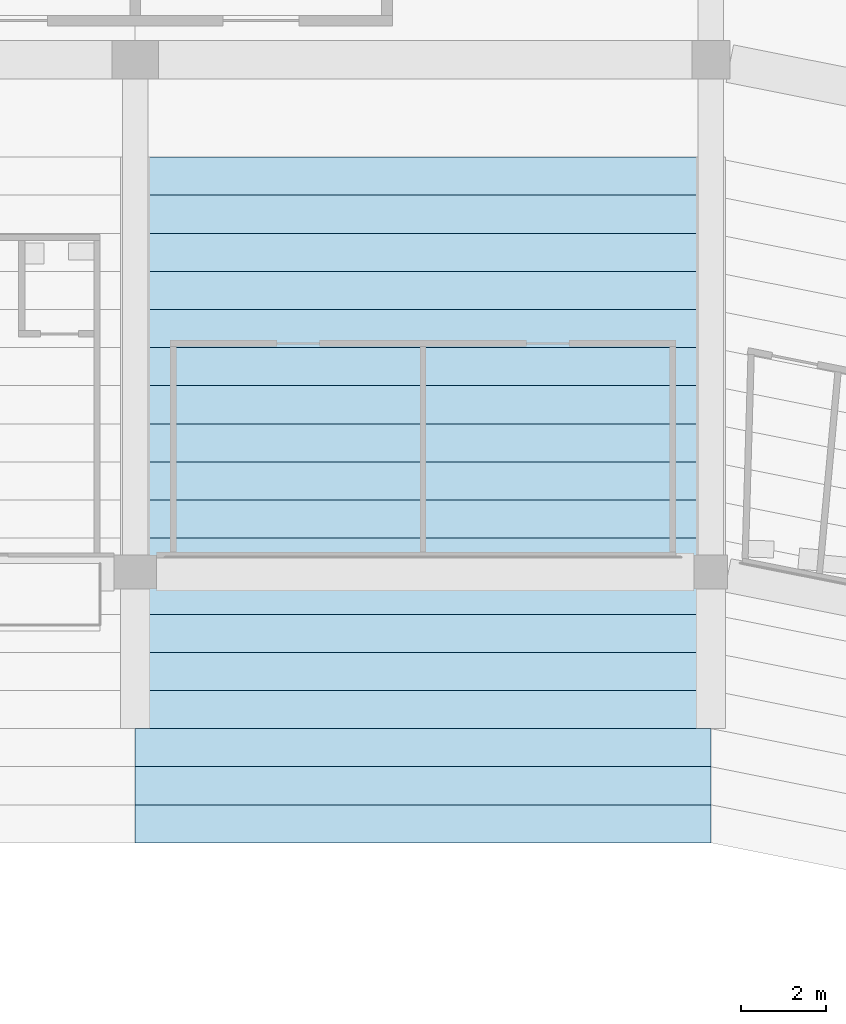
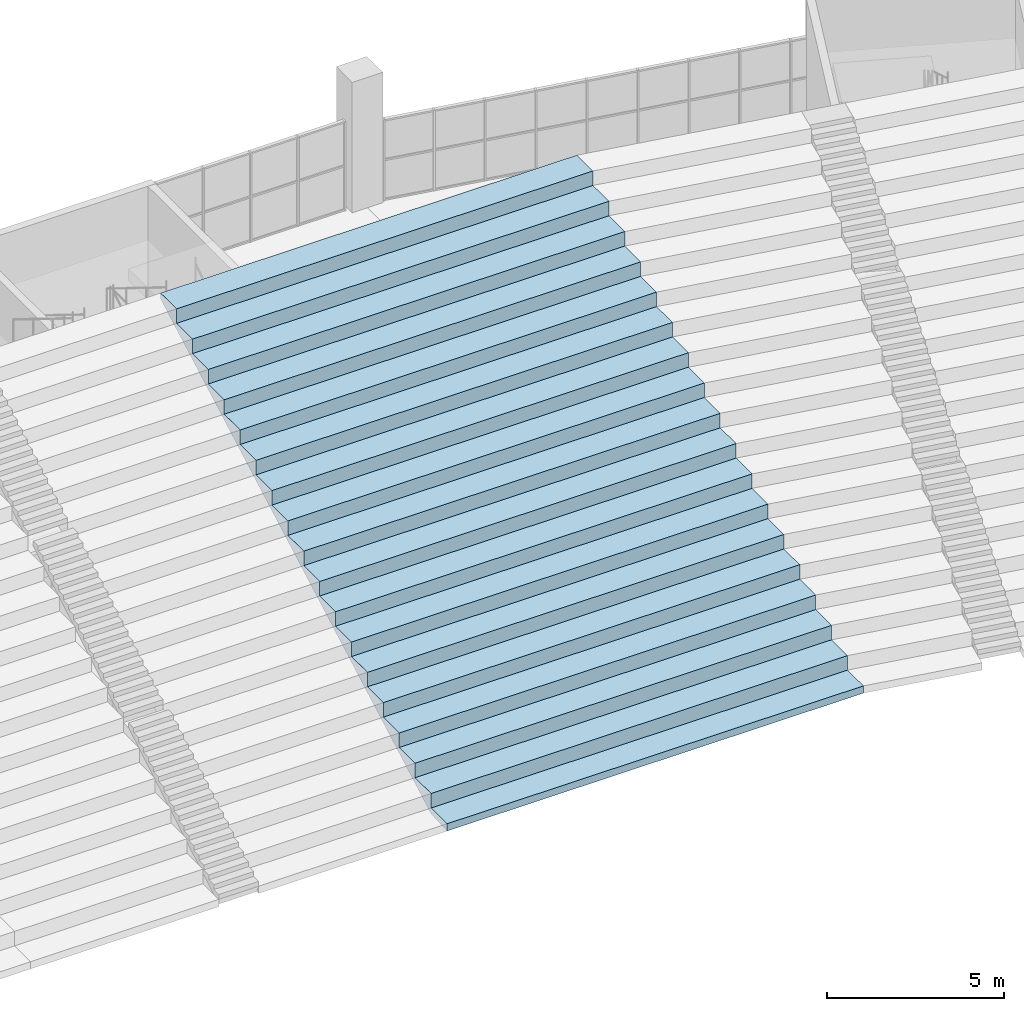
# One storey, part 127 of 249: 1 slab.
"""IFC4 building model written with IfcOpenShell, lengths in metres."""

from ifc_helpers import new_model, si_unit, direction, frame, origin, place, context, subcontext, project, spatial, faceted_brep, material, layer, layer_set, type_object, element, save


model = new_model("IFC4")

# Units and contexts
model_context = context("Model", 3, precision=1e-05, world=origin(), true_north=direction((0.0, 1.0)))
body_context = subcontext(model_context, "Body", "Model", "MODEL_VIEW")
ifc_project = project(units=[si_unit("LENGTHUNIT", "METRE"), si_unit("AREAUNIT", "SQUARE_METRE"), si_unit("VOLUMEUNIT", "CUBIC_METRE"), si_unit("PLANEANGLEUNIT", "RADIAN"), si_unit("MASSUNIT", "GRAM", prefix="KILO")], contexts=[model_context])

# Site, building, storey
site_placement = place(None, origin())
site = spatial("IfcSite", under=ifc_project, at=site_placement, CompositionType="ELEMENT")
building_placement = place(site_placement, origin())
building = spatial("IfcBuilding", under=site, at=building_placement, Name="Ogive Plaza Stadium", CompositionType="ELEMENT")
storey_placement = place(building_placement, frame((0.0, 0.0, 13.5)))
storey = spatial("IfcBuildingStorey", under=building, at=storey_placement, Name="L03", CompositionType="ELEMENT", Elevation=13.5)

# Slab
ifc_material = material(Name="Concrete C45/55 precast", Category="concrete")
ifc_layer = layer(ifc_material, 0.699951171875)
ifc_layer_set = layer_set([ifc_layer], Name="Concrete C45/55 precast")
slab_type = type_object("IfcSlabType", Name="Seating tier UT 700", PredefinedType="USERDEFINED", material=ifc_layer_set)
slab_placement = place(storey_placement, origin())
element("IfcSlab", 1, at=slab_placement, inside=storey, type_object=slab_type, Name="Stand UT B36", ObjectType="SEATING TIER", PredefinedType="USERDEFINED", context=body_context, shape_type="Brep", body=[
    faceted_brep([(34.0, 74.0, 0.5), (34.0, 74.89990234375, 0.5), (20.39990234375, 74.89990234375, 0.5), (20.39990234375, 74.0, 0.5), (34.0, 74.89990234375, 0.300048828125), (20.39990234375, 74.0, 0.25), (20.39990234375, 74.89990234375, 0.300048828125), (34.0, 74.0, 0.25), (34.0, 74.89990234375, 1.0), (20.39990234375, 74.89990234375, 1.0), (20.39990234375, 75.800048828125, 1.0), (20.39990234375, 75.800048828125, 0.800048828125), (20.39990234375, 75.800048828125, 1.5), (20.39990234375, 76.699951171875, 1.5), (20.39990234375, 76.699951171875, 1.300048828125), (20.39990234375, 76.699951171875, 2.0), (20.39990234375, 77.60009765625, 2.0), (20.39990234375, 77.60009765625, 1.800048828125), (20.39990234375, 77.60009765625, 2.5), (20.39990234375, 78.5, 2.5), (20.39990234375, 78.5, 2.300048828125), (20.39990234375, 78.5, 3.0), (20.39990234375, 79.39990234375, 3.0), (20.39990234375, 79.39990234375, 2.800048828125), (20.39990234375, 79.39990234375, 3.5), (20.39990234375, 80.300048828125, 3.5), (20.39990234375, 80.300048828125, 3.300048828125), (20.39990234375, 80.300048828125, 4.0), (20.39990234375, 81.199951171875, 4.0), (20.39990234375, 81.199951171875, 3.800048828125), (20.39990234375, 81.199951171875, 4.5), (20.39990234375, 82.10009765625, 4.5), (20.39990234375, 82.10009765625, 4.300048828125), (20.39990234375, 82.10009765625, 5.0), (20.39990234375, 83.0, 5.0), (20.39990234375, 83.0, 4.800048828125), (20.39990234375, 83.0, 5.5), (20.39990234375, 83.89990234375, 5.5), (20.39990234375, 83.89990234375, 5.300048828125), (20.39990234375, 83.89990234375, 6.0), (20.39990234375, 84.800048828125, 6.0), (20.39990234375, 84.800048828125, 5.800048828125), (20.39990234375, 84.800048828125, 6.5), (20.39990234375, 85.699951171875, 6.5), (20.39990234375, 85.699951171875, 6.300048828125), (20.39990234375, 85.699951171875, 7.0), (20.39990234375, 86.60009765625, 7.0), (20.39990234375, 86.60009765625, 6.800048828125), (20.39990234375, 86.60009765625, 7.5), (20.39990234375, 87.5, 7.5), (20.39990234375, 87.5, 7.300048828125), (20.39990234375, 87.5, 8.0), (20.39990234375, 88.39990234375, 8.0), (20.39990234375, 88.39990234375, 7.800048828125), (20.39990234375, 88.39990234375, 8.5), (20.39990234375, 89.300048828125, 8.5), (20.39990234375, 89.300048828125, 8.300048828125), (20.39990234375, 89.300048828125, 9.0), (20.39990234375, 90.199951171875, 9.0), (20.39990234375, 90.199951171875, 8.800048828125), (34.0, 75.800048828125, 1.0), (34.0, 75.800048828125, 0.800048828125), (34.0, 76.699951171875, 1.5), (34.0, 75.800048828125, 1.5), (34.0, 76.699951171875, 1.300048828125), (34.0, 77.60009765625, 2.0), (34.0, 76.699951171875, 2.0), (34.0, 77.60009765625, 1.800048828125), (34.0, 78.5, 2.5), (34.0, 77.60009765625, 2.5), (34.0, 78.5, 2.300048828125), (34.0, 79.39990234375, 3.0), (34.0, 78.5, 3.0), (34.0, 79.39990234375, 2.800048828125), (34.0, 80.300048828125, 3.5), (34.0, 79.39990234375, 3.5), (34.0, 80.300048828125, 3.300048828125), (34.0, 81.199951171875, 4.0), (34.0, 80.300048828125, 4.0), (34.0, 81.199951171875, 3.800048828125), (34.0, 82.10009765625, 4.5), (34.0, 81.199951171875, 4.5), (34.0, 82.10009765625, 4.300048828125), (34.0, 83.0, 5.0), (34.0, 82.10009765625, 5.0), (34.0, 83.0, 4.800048828125), (34.0, 83.89990234375, 5.5), (34.0, 83.0, 5.5), (34.0, 83.89990234375, 5.300048828125), (34.0, 84.800048828125, 6.0), (34.0, 83.89990234375, 6.0), (34.0, 84.800048828125, 5.800048828125), (34.0, 85.699951171875, 6.5), (34.0, 84.800048828125, 6.5), (34.0, 85.699951171875, 6.300048828125), (34.0, 86.60009765625, 7.0), (34.0, 85.699951171875, 7.0), (34.0, 86.60009765625, 6.800048828125), (34.0, 87.5, 7.5), (34.0, 86.60009765625, 7.5), (34.0, 87.5, 7.300048828125), (34.0, 88.39990234375, 8.0), (34.0, 87.5, 8.0), (34.0, 88.39990234375, 7.800048828125), (34.0, 89.300048828125, 8.5), (34.0, 88.39990234375, 8.5), (34.0, 89.300048828125, 8.300048828125), (34.0, 90.199951171875, 9.0), (34.0, 89.300048828125, 9.0), (34.0, 90.199951171875, 8.800048828125)], [[[0, 1, 2]], [[2, 3, 0]], [[4, 5, 6]], [[4, 7, 5]], [[1, 8, 9]], [[9, 2, 1]], [[6, 5, 3]], [[6, 3, 2]], [[2, 9, 10]], [[10, 11, 6]], [[6, 2, 10]], [[10, 12, 13]], [[13, 14, 11]], [[11, 10, 13]], [[13, 15, 16]], [[16, 17, 14]], [[14, 13, 16]], [[16, 18, 19]], [[19, 20, 17]], [[17, 16, 19]], [[19, 21, 22]], [[22, 23, 20]], [[20, 19, 22]], [[22, 24, 25]], [[25, 26, 23]], [[23, 22, 25]], [[25, 27, 28]], [[28, 29, 26]], [[26, 25, 28]], [[28, 30, 31]], [[31, 32, 29]], [[29, 28, 31]], [[31, 33, 34]], [[34, 35, 32]], [[32, 31, 34]], [[34, 36, 37]], [[37, 38, 35]], [[35, 34, 37]], [[37, 39, 40]], [[40, 41, 38]], [[38, 37, 40]], [[40, 42, 43]], [[43, 44, 41]], [[41, 40, 43]], [[43, 45, 46]], [[46, 47, 44]], [[44, 43, 46]], [[46, 48, 49]], [[49, 50, 47]], [[47, 46, 49]], [[49, 51, 52]], [[52, 53, 50]], [[50, 49, 52]], [[52, 54, 55]], [[55, 56, 53]], [[53, 52, 55]], [[55, 57, 58]], [[58, 59, 56]], [[56, 55, 58]], [[3, 5, 7]], [[7, 0, 3]], [[0, 7, 4]], [[4, 1, 0]], [[60, 8, 1]], [[1, 4, 61]], [[61, 60, 1]], [[62, 63, 60]], [[60, 61, 64]], [[64, 62, 60]], [[65, 66, 62]], [[62, 64, 67]], [[67, 65, 62]], [[68, 69, 65]], [[65, 67, 70]], [[70, 68, 65]], [[71, 72, 68]], [[68, 70, 73]], [[73, 71, 68]], [[74, 75, 71]], [[71, 73, 76]], [[76, 74, 71]], [[77, 78, 74]], [[74, 76, 79]], [[79, 77, 74]], [[80, 81, 77]], [[77, 79, 82]], [[82, 80, 77]], [[83, 84, 80]], [[80, 82, 85]], [[85, 83, 80]], [[86, 87, 83]], [[83, 85, 88]], [[88, 86, 83]], [[89, 90, 86]], [[86, 88, 91]], [[91, 89, 86]], [[92, 93, 89]], [[89, 91, 94]], [[94, 92, 89]], [[95, 96, 92]], [[92, 94, 97]], [[97, 95, 92]], [[98, 99, 95]], [[95, 97, 100]], [[100, 98, 95]], [[101, 102, 98]], [[98, 100, 103]], [[103, 101, 98]], [[104, 105, 101]], [[101, 103, 106]], [[106, 104, 101]], [[107, 108, 104]], [[104, 106, 109]], [[109, 107, 104]], [[8, 60, 10]], [[10, 9, 8]], [[61, 6, 11]], [[61, 4, 6]], [[64, 11, 14]], [[64, 61, 11]], [[67, 14, 17]], [[67, 64, 14]], [[70, 17, 20]], [[70, 67, 17]], [[73, 20, 23]], [[73, 70, 20]], [[76, 23, 26]], [[76, 73, 23]], [[79, 26, 29]], [[79, 76, 26]], [[82, 29, 32]], [[82, 79, 29]], [[85, 32, 35]], [[85, 82, 32]], [[88, 35, 38]], [[88, 85, 35]], [[91, 38, 41]], [[91, 88, 38]], [[94, 41, 44]], [[94, 91, 41]], [[97, 44, 47]], [[97, 94, 44]], [[100, 47, 50]], [[100, 97, 47]], [[60, 63, 12]], [[12, 10, 60]], [[63, 62, 13]], [[13, 12, 63]], [[62, 66, 15]], [[15, 13, 62]], [[66, 65, 16]], [[16, 15, 66]], [[65, 69, 18]], [[18, 16, 65]], [[69, 68, 19]], [[19, 18, 69]], [[68, 72, 21]], [[21, 19, 68]], [[72, 71, 22]], [[22, 21, 72]], [[71, 75, 24]], [[24, 22, 71]], [[75, 74, 25]], [[25, 24, 75]], [[74, 78, 27]], [[27, 25, 74]], [[78, 77, 28]], [[28, 27, 78]], [[77, 81, 30]], [[30, 28, 77]], [[81, 80, 31]], [[31, 30, 81]], [[80, 84, 33]], [[33, 31, 80]], [[84, 83, 34]], [[34, 33, 84]], [[83, 87, 36]], [[36, 34, 83]], [[87, 86, 37]], [[37, 36, 87]], [[86, 90, 39]], [[39, 37, 86]], [[90, 89, 40]], [[40, 39, 90]], [[89, 93, 42]], [[42, 40, 89]], [[93, 92, 43]], [[43, 42, 93]], [[92, 96, 45]], [[45, 43, 92]], [[96, 95, 46]], [[46, 45, 96]], [[95, 99, 48]], [[48, 46, 95]], [[99, 98, 49]], [[49, 48, 99]], [[98, 102, 51]], [[51, 49, 98]], [[102, 101, 52]], [[52, 51, 102]], [[103, 50, 53]], [[103, 100, 50]], [[106, 53, 56]], [[106, 103, 53]], [[109, 56, 59]], [[109, 106, 56]], [[101, 105, 54]], [[54, 52, 101]], [[105, 104, 55]], [[55, 54, 105]], [[104, 108, 57]], [[57, 55, 104]], [[108, 107, 58]], [[58, 57, 108]], [[107, 109, 59]], [[59, 58, 107]]]),
])

save(model, "model.ifc")
